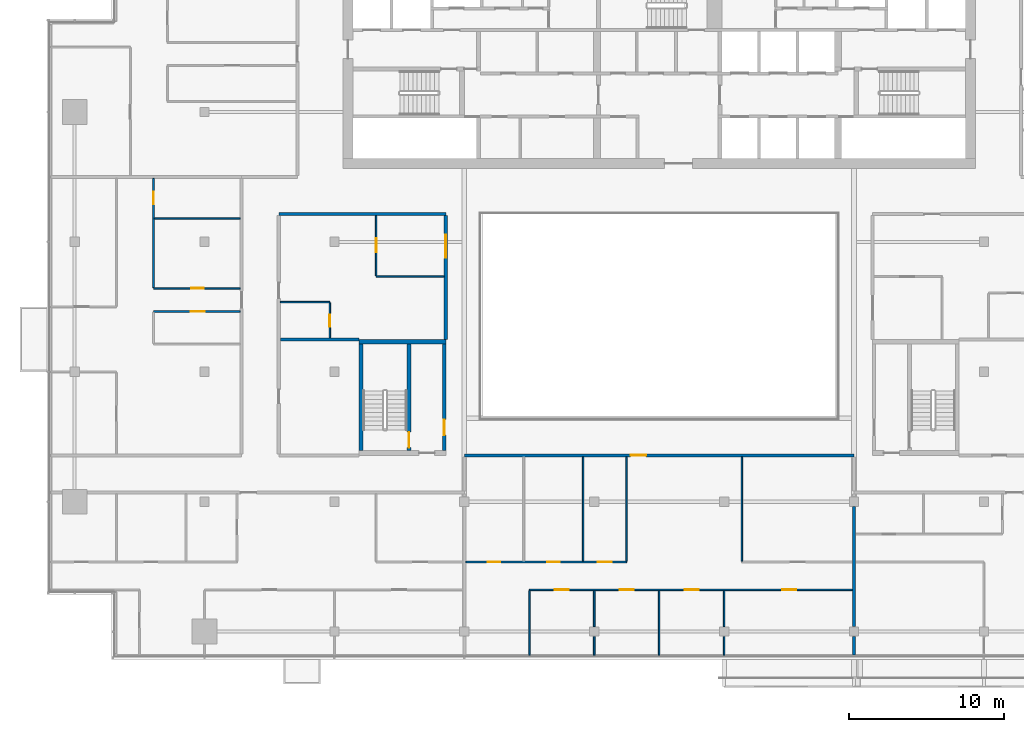
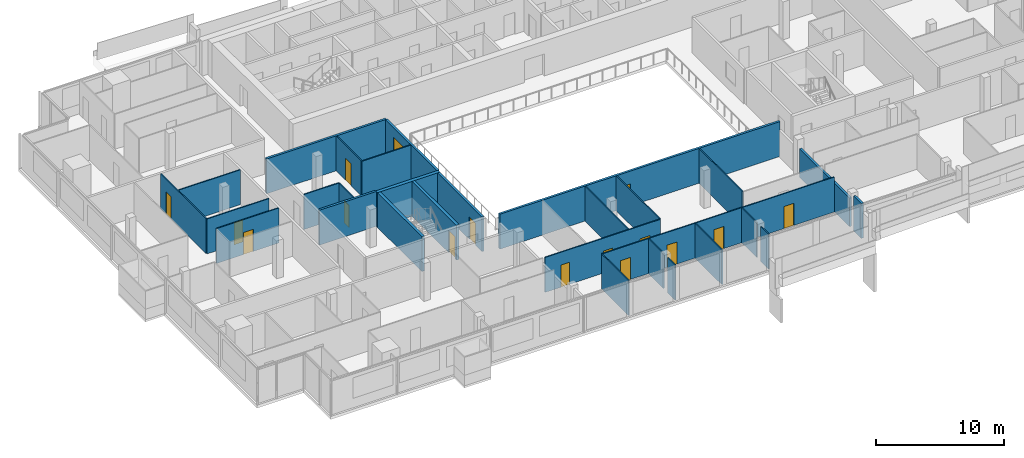
# One storey, part 18 of 27: 29 walls, 15 doors, 1 window, 16 openings.
"""IFC4 building model written with IfcOpenShell, lengths in metres."""

from ifc_helpers import new_model, si_unit, direction, frame, frame_2d, origin, place, context, subcontext, project, spatial, rectangle, extrude, material, layer, layer_set, type_object, element, fill, save


model = new_model("IFC4")

# Units and contexts
model_context = context("Model", 3, precision=1e-05, world=origin(), true_north=direction((0.0, 1.0)))
body_context = subcontext(model_context, "Body", "Model", "MODEL_VIEW")
ifc_project = project(units=[si_unit("LENGTHUNIT", "METRE"), si_unit("AREAUNIT", "SQUARE_METRE"), si_unit("VOLUMEUNIT", "CUBIC_METRE"), si_unit("PLANEANGLEUNIT", "RADIAN"), si_unit("MASSUNIT", "GRAM", prefix="KILO")], contexts=[model_context])

# Site, building, storey
site_placement = place(None, origin())
site = spatial("IfcSite", under=ifc_project, at=site_placement, CompositionType="ELEMENT")
building_placement = place(site_placement, origin())
building = spatial("IfcBuilding", under=site, at=building_placement, Name="Saffron Gate Tower", CompositionType="ELEMENT")
storey_placement = place(building_placement, frame((0.0, 0.0, 234.300048828125)))
storey = spatial("IfcBuildingStorey", under=building, at=storey_placement, Name="L57", CompositionType="ELEMENT", Elevation=234.300048828125)

# Wall, opening, door
ifc_material_1 = material(Name="Gypsum board partition on steel studs", Category="steel")
ifc_layer_1 = layer(ifc_material_1, 0.199951171875)
ifc_layer_set_1 = layer_set([ifc_layer_1], Name="CW10 Core partition 200")
wall_type_1 = type_object("IfcWallType", Name="CW10 Core partition 200", PredefinedType="PARTITIONING", material=ifc_layer_set_1)
wall_1_placement = place(storey_placement, frame((73.699951171875, 43.5, 0.0), z_axis=(0.0, 0.0, 1.0), x_axis=(0.0, 1.0, 0.0)))
wall_1 = element("IfcWall", 1, at=wall_1_placement, inside=storey, type_object=wall_type_1, Name="Wall CW10-L57-D-4", PredefinedType="PARTITIONING", context=body_context, shape_type="SweptSolid", body=[
    extrude(rectangle(XDim=6.89990234375, YDim=0.199951171875, at=frame_2d((3.449951171875, 0.0))), origin(), (0.0, 0.0, 1.0), 3.320068359375),
])
opening_1_placement = place(wall_1_placement, frame((1.0, 0.0, 0.0)))
opening_1 = element("IfcOpeningElement", 2, at=opening_1_placement, cuts=wall_1, Name="Opening CR-19", PredefinedType="OPENING", context=body_context, shape_type="SweptSolid", body=[
    extrude(rectangle(XDim=1.0, YDim=2.10009765625, at=frame_2d((0.5, 1.050048828125))), frame((0.0, 0.10986328125, 0.0), z_axis=(0.0, -1.0, 0.0), x_axis=(1.0, 0.0, 0.0)), (0.0, 0.0, 1.0), 0.219970703125),
])
ifc_material_2 = material(Name="Steel fire door set", Category="steel")
door_type_1 = type_object("IfcDoorType", Name="CD4 Lobby door 1000x2100 EI 120", OperationType="NOTDEFINED", PredefinedType="DOOR", material=ifc_material_2)
door_1_placement = place(opening_1_placement, origin())
door_1 = element("IfcDoor", 3, at=door_1_placement, inside=storey, type_object=door_type_1, Name="DOOR CR-19", OperationType="SINGLE_SWING_RIGHT", OverallHeight=2.10009765625, OverallWidth=1.0, PredefinedType="DOOR", context=body_context, shape_type="SweptSolid", body=[
    extrude(rectangle(XDim=1.0, YDim=2.10009765625, at=frame_2d((0.5, 1.050048828125))), frame((0.0, 0.02490234375, 0.0), z_axis=(0.0, -1.0, 0.0), x_axis=(1.0, 0.0, 0.0)), (0.0, 0.0, 1.0), 0.050048828125),
])
fill(opening_1, door_1)

# Wall
ifc_material_3 = material(Name="Concrete C60", Category="concrete")
ifc_layer_2 = layer(ifc_material_3, 0.25)
ifc_layer_set_2 = layer_set([ifc_layer_2], Name="CW14 RC core wall 250 C60")
wall_type_2 = type_object("IfcWallType", Name="CW14 RC core wall 250 C60", PredefinedType="SOLIDWALL", material=ifc_layer_set_2)
wall_2_placement = place(storey_placement, frame((68.324951171875, 43.5, 0.0), z_axis=(0.0, 0.0, 1.0), x_axis=(0.0, 1.0, 0.0)))
element("IfcWall", 4, at=wall_2_placement, inside=storey, type_object=wall_type_2, Name="Wall CW14-L57-D-2", PredefinedType="SOLIDWALL", context=body_context, shape_type="SweptSolid", body=[
    extrude(rectangle(XDim=6.89990234375, YDim=0.25, at=frame_2d((3.449951171875, 0.0))), origin(), (0.0, 0.0, 1.0), 3.320068359375),
])

# Wall, opening, door
wall_3_placement = place(storey_placement, frame((71.425048828125, 43.5, 0.0), z_axis=(0.0, 0.0, 1.0), x_axis=(0.0, 1.0, 0.0)))
wall_3 = element("IfcWall", 5, at=wall_3_placement, inside=storey, type_object=wall_type_2, Name="Wall CW14-L57-D-3", PredefinedType="SOLIDWALL", context=body_context, shape_type="SweptSolid", body=[
    extrude(rectangle(XDim=6.89990234375, YDim=0.25, at=frame_2d((3.449951171875, 0.0))), origin(), (0.0, 0.0, 1.0), 3.320068359375),
])
opening_2_placement = place(wall_3_placement, frame((0.199951171875, 0.0, 0.0)))
opening_2 = element("IfcOpeningElement", 6, at=opening_2_placement, cuts=wall_3, Name="Opening CR-20", PredefinedType="OPENING", context=body_context, shape_type="SweptSolid", body=[
    extrude(rectangle(XDim=1.0, YDim=2.10009765625, at=frame_2d((0.5, 1.050048828125))), frame((0.0, 0.135009765625, 0.0), z_axis=(0.0, -1.0, 0.0), x_axis=(1.0, 0.0, 0.0)), (0.0, 0.0, 1.0), 0.27001953125),
])
door_type_2 = type_object("IfcDoorType", Name="CD5 Stair door 1000x2100 EI 120", OperationType="NOTDEFINED", PredefinedType="DOOR", material=ifc_material_2)
door_2_placement = place(opening_2_placement, origin())
door_2 = element("IfcDoor", 7, at=door_2_placement, inside=storey, type_object=door_type_2, Name="DOOR CR-20", OperationType="SINGLE_SWING_LEFT", OverallHeight=2.10009765625, OverallWidth=1.0, PredefinedType="DOOR", context=body_context, shape_type="SweptSolid", body=[
    extrude(rectangle(XDim=1.0, YDim=2.10009765625, at=frame_2d((0.5, 1.050048828125))), frame((0.0, 0.02490234375, 0.0), z_axis=(0.0, -1.0, 0.0), x_axis=(1.0, 0.0, 0.0)), (0.0, 0.0, 1.0), 0.050048828125),
])
fill(opening_2, door_2)

# Wall
ifc_layer_3 = layer(ifc_material_3, 0.300048828125)
ifc_layer_set_3 = layer_set([ifc_layer_3], Name="CW17 RC core wall 300 C60")
wall_type_3 = type_object("IfcWallType", Name="CW17 RC core wall 300 C60", PredefinedType="SOLIDWALL", material=ifc_layer_set_3)
wall_4_placement = place(storey_placement, frame((68.199951171875, 50.550048828125, 0.0), z_axis=(0.0, 0.0, 1.0), x_axis=(1.0, 0.0, 0.0)))
element("IfcWall", 8, at=wall_4_placement, inside=storey, type_object=wall_type_3, Name="Wall CW17-L57-D-5", PredefinedType="SOLIDWALL", context=body_context, shape_type="SweptSolid", body=[
    extrude(rectangle(XDim=5.60009765625, YDim=0.300048828125, at=frame_2d((2.800048828125, 0.0))), origin(), (0.0, 0.0, 1.0), 3.320068359375),
])

# Wall, openings, doors
ifc_material_4 = material(Name="Plasterboard on steel studs", Category="steel")
ifc_layer_4 = layer(ifc_material_4, 0.10009765625)
ifc_layer_set_4 = layer_set([ifc_layer_4], Name="PW1 Partition 100")
wall_type_4 = type_object("IfcWallType", Name="PW1 Partition 100", PredefinedType="PARTITIONING", material=ifc_layer_set_4)
wall_5_placement = place(storey_placement, frame((100.10009765625, 34.5, 0.0), z_axis=(0.0, 0.0, 1.0), x_axis=(-1.0, 0.0, 0.0)))
wall_5 = element("IfcWall", 9, at=wall_5_placement, inside=storey, type_object=wall_type_4, Name="Partition D3-3", PredefinedType="PARTITIONING", context=body_context, shape_type="SweptSolid", body=[
    extrude(rectangle(XDim=20.900146484375, YDim=0.10009765625, at=frame_2d((10.4501953125, 0.0))), origin(), (0.0, 0.0, 1.0), 3.320068359375),
])
opening_3_placement = place(wall_5_placement, frame((3.64990234375, 0.0, 0.0)))
opening_3 = element("IfcOpeningElement", 10, at=opening_3_placement, cuts=wall_5, Name="Opening D3-18", PredefinedType="OPENING", context=body_context, shape_type="SweptSolid", body=[
    extrude(rectangle(XDim=0.89990234375, YDim=2.10009765625, at=frame_2d((0.449951171875, 1.050048828125))), frame((0.0, 0.06005859375, 0.0), z_axis=(0.0, -1.0, 0.0), x_axis=(1.0, 0.0, 0.0)), (0.0, 0.0, 1.0), 0.1201171875),
])
opening_4_placement = place(wall_5_placement, frame((9.949951171875, 0.0, 0.0)))
opening_4 = element("IfcOpeningElement", 11, at=opening_4_placement, cuts=wall_5, Name="Opening D3-17", PredefinedType="OPENING", context=body_context, shape_type="SweptSolid", body=[
    extrude(rectangle(XDim=0.89990234375, YDim=2.10009765625, at=frame_2d((0.449951171875, 1.050048828125))), frame((0.0, 0.06005859375, 0.0), z_axis=(0.0, -1.0, 0.0), x_axis=(1.0, 0.0, 0.0)), (0.0, 0.0, 1.0), 0.1201171875),
])
opening_5_placement = place(wall_5_placement, frame((14.14990234375, 0.0, 0.0)))
opening_5 = element("IfcOpeningElement", 12, at=opening_5_placement, cuts=wall_5, Name="Opening D3-16", PredefinedType="OPENING", context=body_context, shape_type="SweptSolid", body=[
    extrude(rectangle(XDim=0.89990234375, YDim=2.10009765625, at=frame_2d((0.449951171875, 1.050048828125))), frame((0.0, 0.06005859375, 0.0), z_axis=(0.0, -1.0, 0.0), x_axis=(1.0, 0.0, 0.0)), (0.0, 0.0, 1.0), 0.1201171875),
])
opening_6_placement = place(wall_5_placement, frame((18.35009765625, 0.0, 0.0)))
opening_6 = element("IfcOpeningElement", 13, at=opening_6_placement, cuts=wall_5, Name="Opening D3-15", PredefinedType="OPENING", context=body_context, shape_type="SweptSolid", body=[
    extrude(rectangle(XDim=0.89990234375, YDim=2.10009765625, at=frame_2d((0.449951171875, 1.050048828125))), frame((0.0, 0.06005859375, 0.0), z_axis=(0.0, -1.0, 0.0), x_axis=(1.0, 0.0, 0.0)), (0.0, 0.0, 1.0), 0.1201171875),
])
ifc_material_5 = material(Name="Timber door set", Category="wood")
door_type_3 = type_object("IfcDoorType", Name="RD1 Room door 900x2100", OperationType="NOTDEFINED", PredefinedType="DOOR", material=ifc_material_5)
door_3_placement = place(opening_3_placement, origin())
door_3 = element("IfcDoor", 14, at=door_3_placement, inside=storey, type_object=door_type_3, Name="Door D3-18", OperationType="SINGLE_SWING_LEFT", OverallHeight=2.10009765625, OverallWidth=0.89990234375, PredefinedType="DOOR", context=body_context, shape_type="SweptSolid", body=[
    extrude(rectangle(XDim=0.89990234375, YDim=2.10009765625, at=frame_2d((0.449951171875, 1.050048828125))), frame((0.0, 0.02490234375, 0.0), z_axis=(0.0, -1.0, 0.0), x_axis=(1.0, 0.0, 0.0)), (0.0, 0.0, 1.0), 0.050048828125),
])
fill(opening_3, door_3)
door_4_placement = place(opening_4_placement, origin())
door_4 = element("IfcDoor", 15, at=door_4_placement, inside=storey, type_object=door_type_3, Name="Door D3-17", OperationType="SINGLE_SWING_LEFT", OverallHeight=2.10009765625, OverallWidth=0.89990234375, PredefinedType="DOOR", context=body_context, shape_type="SweptSolid", body=[
    extrude(rectangle(XDim=0.89990234375, YDim=2.10009765625, at=frame_2d((0.449951171875, 1.050048828125))), frame((0.0, 0.02490234375, 0.0), z_axis=(0.0, -1.0, 0.0), x_axis=(1.0, 0.0, 0.0)), (0.0, 0.0, 1.0), 0.050048828125),
])
fill(opening_4, door_4)
door_5_placement = place(opening_5_placement, origin())
door_5 = element("IfcDoor", 16, at=door_5_placement, inside=storey, type_object=door_type_3, Name="Door D3-16", OperationType="SINGLE_SWING_RIGHT", OverallHeight=2.10009765625, OverallWidth=0.89990234375, PredefinedType="DOOR", context=body_context, shape_type="SweptSolid", body=[
    extrude(rectangle(XDim=0.89990234375, YDim=2.10009765625, at=frame_2d((0.449951171875, 1.050048828125))), frame((0.0, 0.02490234375, 0.0), z_axis=(0.0, -1.0, 0.0), x_axis=(1.0, 0.0, 0.0)), (0.0, 0.0, 1.0), 0.050048828125),
])
fill(opening_5, door_5)
door_6_placement = place(opening_6_placement, origin())
door_6 = element("IfcDoor", 17, at=door_6_placement, inside=storey, type_object=door_type_3, Name="Door D3-15", OperationType="SINGLE_SWING_LEFT", OverallHeight=2.10009765625, OverallWidth=0.89990234375, PredefinedType="DOOR", context=body_context, shape_type="SweptSolid", body=[
    extrude(rectangle(XDim=0.89990234375, YDim=2.10009765625, at=frame_2d((0.449951171875, 1.050048828125))), frame((0.0, 0.02490234375, 0.0), z_axis=(0.0, -1.0, 0.0), x_axis=(1.0, 0.0, 0.0)), (0.0, 0.0, 1.0), 0.050048828125),
])
fill(opening_6, door_6)

# Wall, opening, door
wall_6_placement = place(storey_placement, frame((60.5, 52.5, 0.0), z_axis=(0.0, 0.0, 1.0), x_axis=(-1.0, 0.0, 0.0)))
wall_6 = element("IfcWall", 18, at=wall_6_placement, inside=storey, type_object=wall_type_4, Name="Partition D3-26", PredefinedType="PARTITIONING", context=body_context, shape_type="SweptSolid", body=[
    extrude(rectangle(XDim=5.60009765625, YDim=0.10009765625, at=frame_2d((2.800048828125, 0.0))), origin(), (0.0, 0.0, 1.0), 3.320068359375),
])
opening_7_placement = place(wall_6_placement, frame((2.300048828125, 0.0, 0.0)))
opening_7 = element("IfcOpeningElement", 19, at=opening_7_placement, cuts=wall_6, Name="Opening D3-27", PredefinedType="OPENING", context=body_context, shape_type="SweptSolid", body=[
    extrude(rectangle(XDim=0.89990234375, YDim=2.10009765625, at=frame_2d((0.449951171875, 1.050048828125))), frame((0.0, 0.06005859375, 0.0), z_axis=(0.0, -1.0, 0.0), x_axis=(1.0, 0.0, 0.0)), (0.0, 0.0, 1.0), 0.1201171875),
])
door_7_placement = place(opening_7_placement, origin())
door_7 = element("IfcDoor", 20, at=door_7_placement, inside=storey, type_object=door_type_3, Name="Door D3-27", OperationType="SINGLE_SWING_LEFT", OverallHeight=2.10009765625, OverallWidth=0.89990234375, PredefinedType="DOOR", context=body_context, shape_type="SweptSolid", body=[
    extrude(rectangle(XDim=0.89990234375, YDim=2.10009765625, at=frame_2d((0.449951171875, 1.050048828125))), frame((0.0, 0.02490234375, 0.0), z_axis=(0.0, -1.0, 0.0), x_axis=(1.0, 0.0, 0.0)), (0.0, 0.0, 1.0), 0.050048828125),
])
fill(opening_7, door_7)

# Wall
wall_7_placement = place(storey_placement, frame((63.10009765625, 53.10009765625, 0.0), z_axis=(0.0, 0.0, 1.0), x_axis=(1.0, 0.0, 0.0)))
element("IfcWall", 21, at=wall_7_placement, inside=storey, type_object=wall_type_4, Name="Partition D3-29", PredefinedType="PARTITIONING", context=body_context, shape_type="SweptSolid", body=[
    extrude(rectangle(XDim=3.199951171875, YDim=0.10009765625, at=frame_2d((1.60009765625, 0.0))), origin(), (0.0, 0.0, 1.0), 3.320068359375),
])

# Wall, opening, door
wall_8_placement = place(storey_placement, frame((54.89990234375, 54.0, 0.0), z_axis=(0.0, 0.0, 1.0), x_axis=(1.0, 0.0, 0.0)))
wall_8 = element("IfcWall", 22, at=wall_8_placement, inside=storey, type_object=wall_type_4, Name="Partition D3-31", PredefinedType="PARTITIONING", context=body_context, shape_type="SweptSolid", body=[
    extrude(rectangle(XDim=5.60009765625, YDim=0.10009765625, at=frame_2d((2.800048828125, 0.0))), origin(), (0.0, 0.0, 1.0), 3.320068359375),
])
opening_8_placement = place(wall_8_placement, frame((2.449951171875, 0.0, 0.0)))
opening_8 = element("IfcOpeningElement", 23, at=opening_8_placement, cuts=wall_8, Name="Opening D3-45", PredefinedType="OPENING", context=body_context, shape_type="SweptSolid", body=[
    extrude(rectangle(XDim=0.800048828125, YDim=2.10009765625, at=frame_2d((0.39990234375, 1.050048828125))), frame((0.0, 0.06005859375, 0.0), z_axis=(0.0, -1.0, 0.0), x_axis=(1.0, 0.0, 0.0)), (0.0, 0.0, 1.0), 0.1201171875),
])
door_type_4 = type_object("IfcDoorType", Name="RD2 Bathroom door 800x2100", OperationType="NOTDEFINED", PredefinedType="DOOR", material=ifc_material_5)
door_8_placement = place(opening_8_placement, origin())
door_8 = element("IfcDoor", 24, at=door_8_placement, inside=storey, type_object=door_type_4, Name="Door D3-45", OperationType="SINGLE_SWING_RIGHT", OverallHeight=2.10009765625, OverallWidth=0.800048828125, PredefinedType="DOOR", context=body_context, shape_type="SweptSolid", body=[
    extrude(rectangle(XDim=0.800048828125, YDim=2.10009765625, at=frame_2d((0.39990234375, 1.050048828125))), frame((0.0, 0.02490234375, 0.0), z_axis=(0.0, -1.0, 0.0), x_axis=(1.0, 0.0, 0.0)), (0.0, 0.0, 1.0), 0.050048828125),
])
fill(opening_8, door_8)

# Walls
wall_9_placement = place(storey_placement, frame((69.300048828125, 54.75, 0.0), z_axis=(0.0, 0.0, 1.0), x_axis=(1.0, 0.0, 0.0)))
element("IfcWall", 25, at=wall_9_placement, inside=storey, type_object=wall_type_4, Name="Partition D3-32", PredefinedType="PARTITIONING", context=body_context, shape_type="SweptSolid", body=[
    extrude(rectangle(XDim=4.39990234375, YDim=0.10009765625, at=frame_2d((2.199951171875, 0.0))), origin(), (0.0, 0.0, 1.0), 3.320068359375),
])
wall_10_placement = place(storey_placement, frame((54.949951171875, 58.5, 0.0), z_axis=(0.0, 0.0, 1.0), x_axis=(1.0, 0.0, 0.0)))
element("IfcWall", 26, at=wall_10_placement, inside=storey, type_object=wall_type_4, Name="Partition D3-35", PredefinedType="PARTITIONING", context=body_context, shape_type="SweptSolid", body=[
    extrude(rectangle(XDim=5.550048828125, YDim=0.10009765625, at=frame_2d((2.77490234375, 0.0))), origin(), (0.0, 0.0, 1.0), 3.320068359375),
])

# Wall, opening, door
wall_11_placement = place(storey_placement, frame((54.89990234375, 61.10009765625, 0.0), z_axis=(0.0, 0.0, 1.0), x_axis=(0.0, -1.0, 0.0)))
wall_11 = element("IfcWall", 27, at=wall_11_placement, inside=storey, type_object=wall_type_4, Name="Partition D3-61", PredefinedType="PARTITIONING", context=body_context, shape_type="SweptSolid", body=[
    extrude(rectangle(XDim=7.050048828125, YDim=0.10009765625, at=frame_2d((3.52490234375, 0.0))), origin(), (0.0, 0.0, 1.0), 3.320068359375),
])
opening_9_placement = place(wall_11_placement, frame((0.85009765625, 0.0, 0.0)))
opening_9 = element("IfcOpeningElement", 28, at=opening_9_placement, cuts=wall_11, Name="Opening D3-46", PredefinedType="OPENING", context=body_context, shape_type="SweptSolid", body=[
    extrude(rectangle(XDim=0.800048828125, YDim=2.10009765625, at=frame_2d((0.39990234375, 1.050048828125))), frame((0.0, 0.06005859375, 0.0), z_axis=(0.0, -1.0, 0.0), x_axis=(1.0, 0.0, 0.0)), (0.0, 0.0, 1.0), 0.1201171875),
])
door_9_placement = place(opening_9_placement, origin())
door_9 = element("IfcDoor", 29, at=door_9_placement, inside=storey, type_object=door_type_4, Name="Door D3-46", OperationType="SINGLE_SWING_LEFT", OverallHeight=2.10009765625, OverallWidth=0.800048828125, PredefinedType="DOOR", context=body_context, shape_type="SweptSolid", body=[
    extrude(rectangle(XDim=0.800048828125, YDim=2.10009765625, at=frame_2d((0.39990234375, 1.050048828125))), frame((0.0, 0.02490234375, 0.0), z_axis=(0.0, -1.0, 0.0), x_axis=(1.0, 0.0, 0.0)), (0.0, 0.0, 1.0), 0.050048828125),
])
fill(opening_9, door_9)

wall_12_placement = place(storey_placement, frame((66.300048828125, 50.800048828125, 0.0), z_axis=(0.0, 0.0, 1.0), x_axis=(0.0, 1.0, 0.0)))
wall_12 = element("IfcWall", 30, at=wall_12_placement, inside=storey, type_object=wall_type_4, Name="Partition D3-71", PredefinedType="PARTITIONING", context=body_context, shape_type="SweptSolid", body=[
    extrude(rectangle(XDim=2.25, YDim=0.10009765625, at=frame_2d((1.125, 0.0))), origin(), (0.0, 0.0, 1.0), 3.320068359375),
])
opening_10_placement = place(wall_12_placement, frame((0.699951171875, 0.0, 0.0)))
opening_10 = element("IfcOpeningElement", 31, at=opening_10_placement, cuts=wall_12, Name="Opening D3-52", PredefinedType="OPENING", context=body_context, shape_type="SweptSolid", body=[
    extrude(rectangle(XDim=0.800048828125, YDim=2.10009765625, at=frame_2d((0.39990234375, 1.050048828125))), frame((0.0, 0.06005859375, 0.0), z_axis=(0.0, -1.0, 0.0), x_axis=(1.0, 0.0, 0.0)), (0.0, 0.0, 1.0), 0.1201171875),
])
door_10_placement = place(opening_10_placement, origin())
door_10 = element("IfcDoor", 32, at=door_10_placement, inside=storey, type_object=door_type_4, Name="Door D3-52", OperationType="SINGLE_SWING_LEFT", OverallHeight=2.10009765625, OverallWidth=0.800048828125, PredefinedType="DOOR", context=body_context, shape_type="SweptSolid", body=[
    extrude(rectangle(XDim=0.800048828125, YDim=2.10009765625, at=frame_2d((0.39990234375, 1.050048828125))), frame((0.0, 0.02490234375, 0.0), z_axis=(0.0, -1.0, 0.0), x_axis=(1.0, 0.0, 0.0)), (0.0, 0.0, 1.0), 0.050048828125),
])
fill(opening_10, door_10)

wall_13_placement = place(storey_placement, frame((69.300048828125, 58.699951171875, 0.0), z_axis=(0.0, 0.0, 1.0), x_axis=(0.0, -1.0, 0.0)))
wall_13 = element("IfcWall", 33, at=wall_13_placement, inside=storey, type_object=wall_type_4, Name="Partition D3-75", PredefinedType="PARTITIONING", context=body_context, shape_type="SweptSolid", body=[
    extrude(rectangle(XDim=3.89990234375, YDim=0.10009765625, at=frame_2d((1.949951171875, 0.0))), origin(), (0.0, 0.0, 1.0), 3.320068359375),
])
opening_11_placement = place(wall_13_placement, frame((1.47509765625, 0.0, 0.0)))
opening_11 = element("IfcOpeningElement", 34, at=opening_11_placement, cuts=wall_13, Name="Opening D3-37", PredefinedType="OPENING", context=body_context, shape_type="SweptSolid", body=[
    extrude(rectangle(XDim=0.89990234375, YDim=2.10009765625, at=frame_2d((0.449951171875, 1.050048828125))), frame((0.0, 0.06005859375, 0.0), z_axis=(0.0, -1.0, 0.0), x_axis=(1.0, 0.0, 0.0)), (0.0, 0.0, 1.0), 0.1201171875),
])
door_11_placement = place(opening_11_placement, origin())
door_11 = element("IfcDoor", 35, at=door_11_placement, inside=storey, type_object=door_type_3, Name="Door D3-37", OperationType="SINGLE_SWING_LEFT", OverallHeight=2.10009765625, OverallWidth=0.89990234375, PredefinedType="DOOR", context=body_context, shape_type="SweptSolid", body=[
    extrude(rectangle(XDim=0.89990234375, YDim=2.10009765625, at=frame_2d((0.449951171875, 1.050048828125))), frame((0.0, 0.02490234375, 0.0), z_axis=(0.0, -1.0, 0.0), x_axis=(1.0, 0.0, 0.0)), (0.0, 0.0, 1.0), 0.050048828125),
])
fill(opening_11, door_11)

# Walls
wall_14_placement = place(storey_placement, frame((79.199951171875, 34.449951171875, 0.0), z_axis=(0.0, 0.0, 1.0), x_axis=(0.0, -1.0, 0.0)))
element("IfcWall", 36, at=wall_14_placement, inside=storey, type_object=wall_type_4, Name="Partition D3-82", PredefinedType="PARTITIONING", context=body_context, shape_type="SweptSolid", body=[
    extrude(rectangle(XDim=4.169921875, YDim=0.10009765625, at=frame_2d((2.0849609375, 0.0))), origin(), (0.0, 0.0, 1.0), 3.320068359375),
])
wall_15_placement = place(storey_placement, frame((82.68115234375, 43.10009765625, 0.0), z_axis=(0.0, 0.0, 1.0), x_axis=(0.0, -1.0, 0.0)))
element("IfcWall", 37, at=wall_15_placement, inside=storey, type_object=wall_type_4, Name="Partition D3-83", PredefinedType="PARTITIONING", context=body_context, shape_type="SweptSolid", body=[
    extrude(rectangle(XDim=6.75, YDim=0.10009765625, at=frame_2d((3.375, 0.0))), origin(), (0.0, 0.0, 1.0), 3.320068359375),
])
wall_16_placement = place(storey_placement, frame((83.39990234375, 31.47998046875, 0.0), z_axis=(0.0, 0.0, 1.0), x_axis=(0.0, -1.0, 0.0)))
element("IfcWall", 38, at=wall_16_placement, inside=storey, type_object=wall_type_4, Name="Partition D3-84", PredefinedType="PARTITIONING", context=body_context, shape_type="SweptSolid", body=[
    extrude(rectangle(XDim=1.199951171875, YDim=0.10009765625, at=frame_2d((0.60009765625, 0.0))), origin(), (0.0, 0.0, 1.0), 3.320068359375),
])
wall_17_placement = place(storey_placement, frame((83.39990234375, 34.449951171875, 0.0), z_axis=(0.0, 0.0, 1.0), x_axis=(0.0, -1.0, 0.0)))
element("IfcWall", 39, at=wall_17_placement, inside=storey, type_object=wall_type_4, Name="Partition D3-85", PredefinedType="PARTITIONING", context=body_context, shape_type="SweptSolid", body=[
    extrude(rectangle(XDim=2.329833984375, YDim=0.10009765625, at=frame_2d((1.1650390625, 0.0))), origin(), (0.0, 0.0, 1.0), 3.320068359375),
])
wall_18_placement = place(storey_placement, frame((85.5, 43.10009765625, 0.0), z_axis=(0.0, 0.0, 1.0), x_axis=(0.0, -1.0, 0.0)))
element("IfcWall", 40, at=wall_18_placement, inside=storey, type_object=wall_type_4, Name="Partition D3-86", PredefinedType="PARTITIONING", context=body_context, shape_type="SweptSolid", body=[
    extrude(rectangle(XDim=6.75, YDim=0.10009765625, at=frame_2d((3.375, 0.0))), origin(), (0.0, 0.0, 1.0), 3.320068359375),
])
wall_19_placement = place(storey_placement, frame((87.60009765625, 34.449951171875, 0.0), z_axis=(0.0, 0.0, 1.0), x_axis=(0.0, -1.0, 0.0)))
element("IfcWall", 41, at=wall_19_placement, inside=storey, type_object=wall_type_4, Name="Partition D3-87", PredefinedType="PARTITIONING", context=body_context, shape_type="SweptSolid", body=[
    extrude(rectangle(XDim=4.169921875, YDim=0.10009765625, at=frame_2d((2.0849609375, 0.0))), origin(), (0.0, 0.0, 1.0), 3.320068359375),
])
wall_20_placement = place(storey_placement, frame((91.800048828125, 31.47998046875, 0.0), z_axis=(0.0, 0.0, 1.0), x_axis=(0.0, -1.0, 0.0)))
element("IfcWall", 42, at=wall_20_placement, inside=storey, type_object=wall_type_4, Name="Partition D3-88", PredefinedType="PARTITIONING", context=body_context, shape_type="SweptSolid", body=[
    extrude(rectangle(XDim=1.199951171875, YDim=0.10009765625, at=frame_2d((0.60009765625, 0.0))), origin(), (0.0, 0.0, 1.0), 3.320068359375),
])
wall_21_placement = place(storey_placement, frame((91.800048828125, 34.449951171875, 0.0), z_axis=(0.0, 0.0, 1.0), x_axis=(0.0, -1.0, 0.0)))
element("IfcWall", 43, at=wall_21_placement, inside=storey, type_object=wall_type_4, Name="Partition D3-89", PredefinedType="PARTITIONING", context=body_context, shape_type="SweptSolid", body=[
    extrude(rectangle(XDim=2.329833984375, YDim=0.10009765625, at=frame_2d((1.1650390625, 0.0))), origin(), (0.0, 0.0, 1.0), 3.320068359375),
])
wall_22_placement = place(storey_placement, frame((92.94189453125, 43.10009765625, 0.0), z_axis=(0.0, 0.0, 1.0), x_axis=(0.0, -1.0, 0.0)))
element("IfcWall", 44, at=wall_22_placement, inside=storey, type_object=wall_type_4, Name="Partition D3-90", PredefinedType="PARTITIONING", context=body_context, shape_type="SweptSolid", body=[
    extrude(rectangle(XDim=6.75, YDim=0.10009765625, at=frame_2d((3.375, 0.0))), origin(), (0.0, 0.0, 1.0), 3.320068359375),
])

# Wall, openings, doors
wall_23_placement = place(storey_placement, frame((75.10009765625, 36.300048828125, 0.0), z_axis=(0.0, 0.0, 1.0), x_axis=(1.0, 0.0, 0.0)))
wall_23 = element("IfcWall", 45, at=wall_23_placement, inside=storey, type_object=wall_type_4, Name="Partition D3-115", PredefinedType="PARTITIONING", context=body_context, shape_type="SweptSolid", body=[
    extrude(rectangle(XDim=10.39990234375, YDim=0.10009765625, at=frame_2d((5.199951171875, 0.0))), origin(), (0.0, 0.0, 1.0), 3.320068359375),
])
opening_12_placement = place(wall_23_placement, frame((1.42041015625, 0.0, 0.0)))
opening_12 = element("IfcOpeningElement", 46, at=opening_12_placement, cuts=wall_23, Name="Opening D3-41", PredefinedType="OPENING", context=body_context, shape_type="SweptSolid", body=[
    extrude(rectangle(XDim=0.800048828125, YDim=2.10009765625, at=frame_2d((0.39990234375, 1.050048828125))), frame((0.0, 0.06005859375, 0.0), z_axis=(0.0, -1.0, 0.0), x_axis=(1.0, 0.0, 0.0)), (0.0, 0.0, 1.0), 0.1201171875),
])
opening_13_placement = place(wall_23_placement, frame((5.260986328125, 0.0, 0.0)))
opening_13 = element("IfcOpeningElement", 47, at=opening_13_placement, cuts=wall_23, Name="Opening D3-42", PredefinedType="OPENING", context=body_context, shape_type="SweptSolid", body=[
    extrude(rectangle(XDim=0.800048828125, YDim=2.10009765625, at=frame_2d((0.39990234375, 1.050048828125))), frame((0.0, 0.06005859375, 0.0), z_axis=(0.0, -1.0, 0.0), x_axis=(1.0, 0.0, 0.0)), (0.0, 0.0, 1.0), 0.1201171875),
])
opening_14_placement = place(wall_23_placement, frame((8.54052734375, 0.0, 0.0)))
opening_14 = element("IfcOpeningElement", 48, at=opening_14_placement, cuts=wall_23, Name="Opening D3-20", PredefinedType="OPENING", context=body_context, shape_type="SweptSolid", body=[
    extrude(rectangle(XDim=0.89990234375, YDim=2.10009765625, at=frame_2d((0.449951171875, 1.050048828125))), frame((0.0, 0.06005859375, 0.0), z_axis=(0.0, -1.0, 0.0), x_axis=(1.0, 0.0, 0.0)), (0.0, 0.0, 1.0), 0.1201171875),
])
door_12_placement = place(opening_14_placement, origin())
door_12 = element("IfcDoor", 49, at=door_12_placement, inside=storey, type_object=door_type_3, Name="Door D3-20", OperationType="SINGLE_SWING_LEFT", OverallHeight=2.10009765625, OverallWidth=0.89990234375, PredefinedType="DOOR", context=body_context, shape_type="SweptSolid", body=[
    extrude(rectangle(XDim=0.89990234375, YDim=2.10009765625, at=frame_2d((0.449951171875, 1.050048828125))), frame((0.0, 0.02490234375, 0.0), z_axis=(0.0, -1.0, 0.0), x_axis=(1.0, 0.0, 0.0)), (0.0, 0.0, 1.0), 0.050048828125),
])
fill(opening_14, door_12)
door_13_placement = place(opening_12_placement, origin())
door_13 = element("IfcDoor", 50, at=door_13_placement, inside=storey, type_object=door_type_4, Name="Door D3-41", OperationType="SINGLE_SWING_LEFT", OverallHeight=2.10009765625, OverallWidth=0.800048828125, PredefinedType="DOOR", context=body_context, shape_type="SweptSolid", body=[
    extrude(rectangle(XDim=0.800048828125, YDim=2.10009765625, at=frame_2d((0.39990234375, 1.050048828125))), frame((0.0, 0.02490234375, 0.0), z_axis=(0.0, -1.0, 0.0), x_axis=(1.0, 0.0, 0.0)), (0.0, 0.0, 1.0), 0.050048828125),
])
fill(opening_12, door_13)
door_14_placement = place(opening_13_placement, origin())
door_14 = element("IfcDoor", 51, at=door_14_placement, inside=storey, type_object=door_type_4, Name="Door D3-42", OperationType="SINGLE_SWING_LEFT", OverallHeight=2.10009765625, OverallWidth=0.800048828125, PredefinedType="DOOR", context=body_context, shape_type="SweptSolid", body=[
    extrude(rectangle(XDim=0.800048828125, YDim=2.10009765625, at=frame_2d((0.39990234375, 1.050048828125))), frame((0.0, 0.02490234375, 0.0), z_axis=(0.0, -1.0, 0.0), x_axis=(1.0, 0.0, 0.0)), (0.0, 0.0, 1.0), 0.050048828125),
])
fill(opening_13, door_14)

# Walls
ifc_material_6 = material(Name="Clay brick masonry, rendered", Category="masonry")
ifc_layer_5 = layer(ifc_material_6, 0.199951171875)
ifc_layer_set_5 = layer_set([ifc_layer_5], Name="PW2 Demising wall 200")
wall_type_5 = type_object("IfcWallType", Name="PW2 Demising wall 200", PredefinedType="PARTITIONING", material=ifc_layer_set_5)
wall_24_placement = place(storey_placement, frame((63.10009765625, 50.699951171875, 0.0), z_axis=(0.0, 0.0, 1.0), x_axis=(1.0, 0.0, 0.0)))
element("IfcWall", 52, at=wall_24_placement, inside=storey, type_object=wall_type_5, Name="Wall D3-24", PredefinedType="PARTITIONING", context=body_context, shape_type="SweptSolid", body=[
    extrude(rectangle(XDim=5.099853515625, YDim=0.199951171875, at=frame_2d((2.5498046875, 0.0))), origin(), (0.0, 0.0, 1.0), 3.320068359375),
])
wall_25_placement = place(storey_placement, frame((100.199951171875, 31.47998046875, 0.0), z_axis=(0.0, 0.0, 1.0), x_axis=(0.0, -1.0, 0.0)))
element("IfcWall", 53, at=wall_25_placement, inside=storey, type_object=wall_type_5, Name="Wall D3-92", PredefinedType="PARTITIONING", context=body_context, shape_type="SweptSolid", body=[
    extrude(rectangle(XDim=1.199951171875, YDim=0.199951171875, at=frame_2d((0.60009765625, 0.0))), origin(), (0.0, 0.0, 1.0), 3.320068359375),
])
wall_26_placement = place(storey_placement, frame((100.199951171875, 39.8798828125, 0.0), z_axis=(0.0, 0.0, 1.0), x_axis=(0.0, -1.0, 0.0)))
element("IfcWall", 54, at=wall_26_placement, inside=storey, type_object=wall_type_5, Name="Wall D3-93", PredefinedType="PARTITIONING", context=body_context, shape_type="SweptSolid", body=[
    extrude(rectangle(XDim=7.759765625, YDim=0.199951171875, at=frame_2d((3.8798828125, 0.0))), origin(), (0.0, 0.0, 1.0), 2.719970703125),
])

# Wall, opening, door
ifc_layer_6 = layer(ifc_material_6, 0.199951171875)
ifc_layer_set_6 = layer_set([ifc_layer_6], Name="PW3 Corridor wall 200")
wall_type_6 = type_object("IfcWallType", Name="PW3 Corridor wall 200", PredefinedType="PARTITIONING", material=ifc_layer_set_6)
wall_27_placement = place(storey_placement, frame((100.199951171875, 43.199951171875, 0.0), z_axis=(0.0, 0.0, 1.0), x_axis=(-1.0, 0.0, 0.0)))
wall_27 = element("IfcWall", 55, at=wall_27_placement, inside=storey, type_object=wall_type_6, Name="Wall D3-14", PredefinedType="PARTITIONING", context=body_context, shape_type="SweptSolid", body=[
    extrude(rectangle(XDim=25.199951171875, YDim=0.199951171875, at=frame_2d((12.60009765625, 0.0))), origin(), (0.0, 0.0, 1.0), 3.320068359375),
])
opening_15_placement = place(wall_27_placement, frame((13.449951171875, 0.0, 0.0)))
opening_15 = element("IfcOpeningElement", 56, at=opening_15_placement, cuts=wall_27, Name="Opening D3-2", PredefinedType="OPENING", context=body_context, shape_type="SweptSolid", body=[
    extrude(rectangle(XDim=1.0, YDim=2.10009765625, at=frame_2d((0.5, 1.050048828125))), frame((0.0, 0.10986328125, 0.0), z_axis=(0.0, -1.0, 0.0), x_axis=(1.0, 0.0, 0.0)), (0.0, 0.0, 1.0), 0.219970703125),
])
ifc_material_7 = material(Name="Timber fire door set", Category="wood")
door_type_5 = type_object("IfcDoorType", Name="FD1 Flat entry door 1000x2100", OperationType="NOTDEFINED", PredefinedType="DOOR", material=ifc_material_7)
door_15_placement = place(opening_15_placement, origin())
door_15 = element("IfcDoor", 57, at=door_15_placement, inside=storey, type_object=door_type_5, Name="Door D3-2", OperationType="SINGLE_SWING_RIGHT", OverallHeight=2.10009765625, OverallWidth=1.0, PredefinedType="DOOR", context=body_context, shape_type="SweptSolid", body=[
    extrude(rectangle(XDim=1.0, YDim=2.10009765625, at=frame_2d((0.5, 1.050048828125))), frame((0.0, 0.02490234375, 0.0), z_axis=(0.0, -1.0, 0.0), x_axis=(1.0, 0.0, 0.0)), (0.0, 0.0, 1.0), 0.050048828125),
])
fill(opening_15, door_15)

# Wall
wall_28_placement = place(storey_placement, frame((63.0, 58.800048828125, 0.0), z_axis=(0.0, 0.0, 1.0), x_axis=(1.0, 0.0, 0.0)))
element("IfcWall", 58, at=wall_28_placement, inside=storey, type_object=wall_type_6, Name="Wall D3-36", PredefinedType="PARTITIONING", context=body_context, shape_type="SweptSolid", body=[
    extrude(rectangle(XDim=10.800048828125, YDim=0.199951171875, at=frame_2d((5.39990234375, 0.0))), origin(), (0.0, 0.0, 1.0), 3.320068359375),
])

# Wall, opening, window
wall_29_placement = place(storey_placement, frame((73.800048828125, 58.699951171875, 0.0), z_axis=(0.0, 0.0, 1.0), x_axis=(0.0, -1.0, 0.0)))
wall_29 = element("IfcWall", 59, at=wall_29_placement, inside=storey, type_object=wall_type_6, Name="Wall D3-76", PredefinedType="PARTITIONING", context=body_context, shape_type="SweptSolid", body=[
    extrude(rectangle(XDim=8.0, YDim=0.199951171875, at=frame_2d((4.0, 0.0))), origin(), (0.0, 0.0, 1.0), 3.320068359375),
])
opening_16_placement = place(wall_29_placement, frame((1.22509765625, 0.0, 0.89990234375)))
opening_16 = element("IfcOpeningElement", 60, at=opening_16_placement, cuts=wall_29, Name="Opening GW1", PredefinedType="OPENING", context=body_context, shape_type="SweptSolid", body=[
    extrude(rectangle(XDim=1.5, YDim=1.5, at=frame_2d((0.75, 0.75))), frame((0.0, 0.10986328125, 0.0), z_axis=(0.0, -1.0, 0.0), x_axis=(1.0, 0.0, 0.0)), (0.0, 0.0, 1.0), 0.219970703125),
])
ifc_material_8 = material(Name="Fire-resisting laminated glass in steel frame", Category="steel")
ifc_layer_7 = layer(ifc_material_8, 0.06005859375)
ifc_layer_set_7 = layer_set([ifc_layer_7], Name="GW1 Gallery window 1500x1500")
window_type = type_object("IfcWindowType", Name="GW1 Gallery window 1500x1500", PartitioningType="SINGLE_PANEL", PredefinedType="WINDOW", material=ifc_layer_set_7)
window_placement = place(opening_16_placement, origin())
window = element("IfcWindow", 61, at=window_placement, inside=storey, type_object=window_type, Name="GW1 window D3-H-B1", OverallHeight=1.5, OverallWidth=1.5, PartitioningType="SINGLE_PANEL", PredefinedType="WINDOW", context=body_context, shape_type="SweptSolid", body=[
    extrude(rectangle(XDim=1.5, YDim=1.5, at=frame_2d((0.75, 0.75))), frame((0.0, 0.030029296875, 0.0), z_axis=(0.0, -1.0, 0.0), x_axis=(1.0, 0.0, 0.0)), (0.0, 0.0, 1.0), 0.06005859375),
])
fill(opening_16, window)

save(model, "model.ifc")
